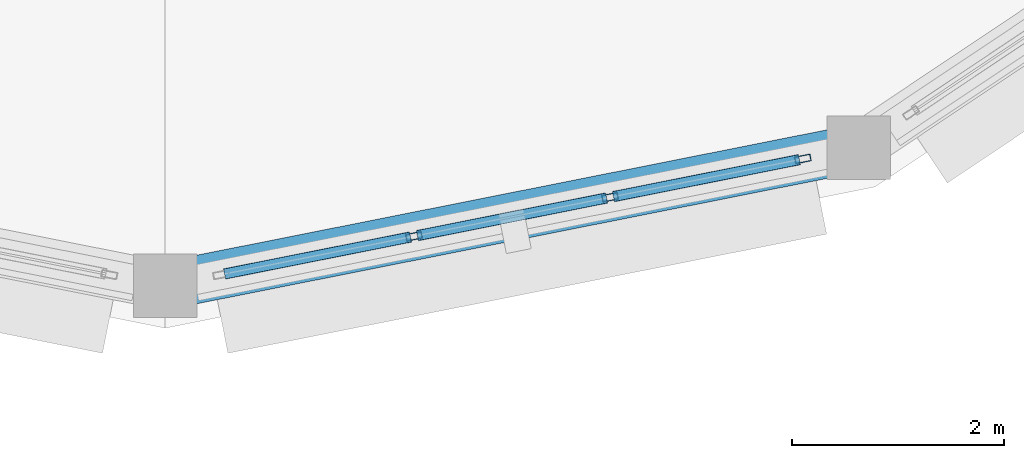
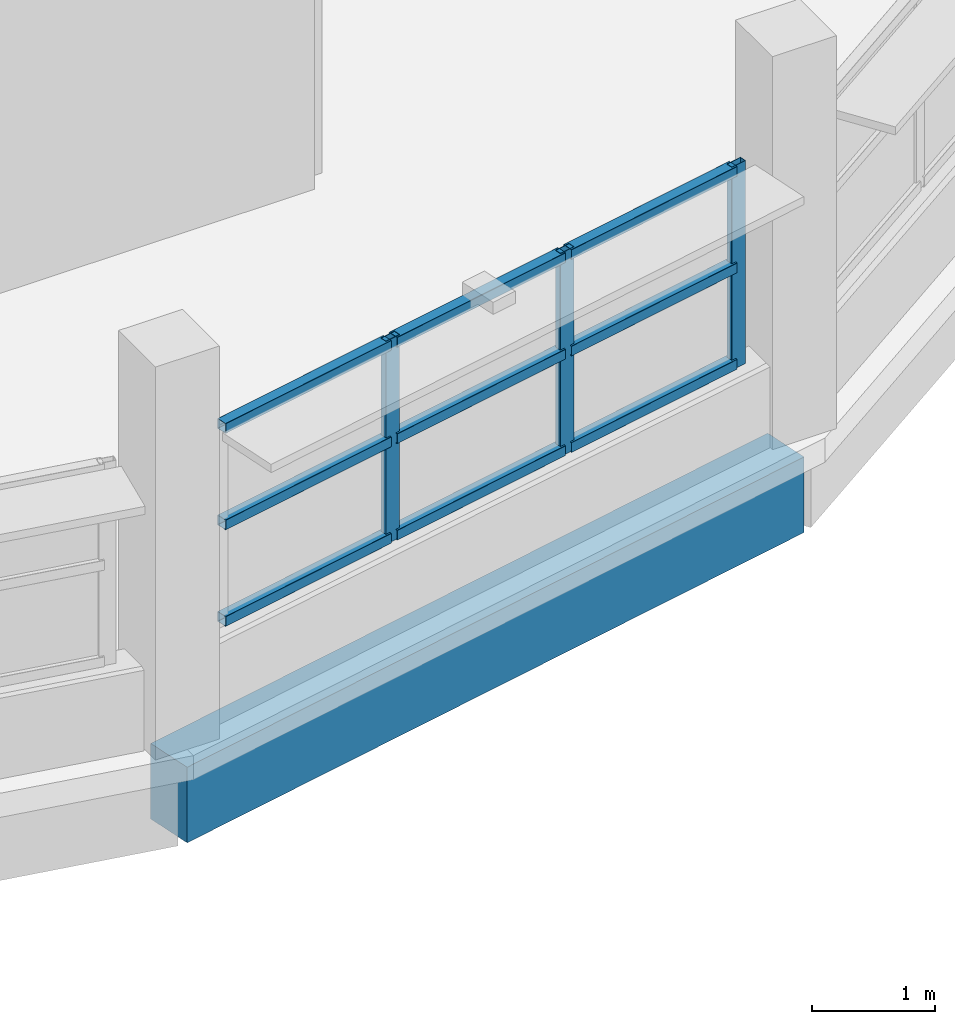
# One storey, part 65 of 121: 12 members, 1 beam, 1 element without a shape of its own.
"""IFC4 building model written with IfcOpenShell, lengths in metres."""

from ifc_helpers import new_model, si_unit, direction, frame, origin, origin_2d, place, context, subcontext, project, spatial, rectangle, hollow_rectangle, extrude, material, layer, layer_set, material_profile, profile_set, type_object, element, aggregate, save


model = new_model("IFC4")

# Units and contexts
model_context = context("Model", 3, precision=1e-05, world=origin(), true_north=direction((0.0, 1.0)))
body_context = subcontext(model_context, "Body", "Model", "MODEL_VIEW")
ifc_project = project(units=[si_unit("LENGTHUNIT", "METRE"), si_unit("AREAUNIT", "SQUARE_METRE"), si_unit("VOLUMEUNIT", "CUBIC_METRE"), si_unit("PLANEANGLEUNIT", "RADIAN"), si_unit("MASSUNIT", "GRAM", prefix="KILO")], contexts=[model_context])

# Site, building, storey
site_placement = place(None, origin())
site = spatial("IfcSite", under=ifc_project, at=site_placement, CompositionType="ELEMENT")
building_placement = place(site_placement, origin())
building = spatial("IfcBuilding", under=site, at=building_placement, Name="Vespera Passage Community Centre", CompositionType="ELEMENT")
storey_placement = place(building_placement, frame((0.0, 0.0, 8.699951171875)))
storey = spatial("IfcBuildingStorey", under=building, at=storey_placement, Name="L02", CompositionType="ELEMENT", Elevation=8.699951171875)

# Beam
ifc_material_1 = material(Name="Concrete f'c 35 MPa", Category="concrete")
ifc_material_profile_1 = material_profile(ifc_material_1, rectangle(XDim=0.449951171875, YDim=0.75, at=origin_2d()), Name="RC450X750")
ifc_profile_set_1 = profile_set([ifc_material_profile_1], Name="Concrete f'c 35 MPa")
beam_type = type_object("IfcBeamType", Name="BM-SP-450X750E", PredefinedType="SPANDREL", material=ifc_profile_set_1)
beam_placement = place(storey_placement, frame((141.0, 7.89990234375, -0.614990234375), z_axis=(0.980782809509, 0.195102743632, 0.0), x_axis=(-0.195102743632, 0.980782809509, 0.0)))
element("IfcBeam", 1, at=beam_placement, inside=storey, type_object=beam_type, Name="V3 L02 Spandrel 13", PredefinedType="SPANDREL", context=body_context, shape_type="SweptSolid", body=[
    extrude(rectangle(XDim=0.449951171875, YDim=0.75, at=origin_2d()), origin(), (0.0, 0.0, 1.0), 6.672119140625),
])

# Curtain wall, members
ifc_material_2 = material(Name="Anodized aluminium 6063-T6", Category="aluminium")
ifc_layer = layer(ifc_material_2, 0.159912109375)
ifc_layer_set = layer_set([ifc_layer], Name="Anodized aluminium 6063-T6")
curtain_wall_type = type_object("IfcCurtainWallType", Name="CW-108E", PredefinedType="NOTDEFINED", material=ifc_layer_set)
curtain_wall_placement = place(storey_placement, origin())
curtain_wall = element("IfcCurtainWall", 2, at=curtain_wall_placement, inside=storey, type_object=curtain_wall_type, Name="Dining Drum Ribbon Curtain Wall L02.13", PredefinedType="NOTDEFINED")
ifc_material_3 = material(Name="Anodized aluminium 6063-T6", Category="aluminium")
ifc_material_profile_2 = material_profile(ifc_material_3, hollow_rectangle(XDim=0.06494140625, YDim=0.14990234375, WallThickness=0.00390625, InnerFilletRadius=0.001953125, OuterFilletRadius=0.00390625, at=origin_2d()), Name="ALU150X65X4")
ifc_profile_set_2 = profile_set([ifc_material_profile_2], Name="Anodized aluminium 6063-T6")
member_type_1 = type_object("IfcMemberType", Name="MB-CWM-150E", PredefinedType="MULLION", material=ifc_profile_set_2)
member_1_placement = place(storey_placement, frame((147.015869140625, 9.0966796875, 0.800048828125), z_axis=(0.0, 0.0, 1.0), x_axis=(0.195096778691, -0.980783996069, 0.0)))
member_1 = element("IfcMember", 3, at=member_1_placement, type_object=member_type_1, Name="CW-108E mullion 1", PredefinedType="MULLION", context=body_context, shape_type="SweptSolid", body=[
    extrude(hollow_rectangle(XDim=0.06494140625, YDim=0.14990234375, WallThickness=0.00390625, InnerFilletRadius=0.001953125, OuterFilletRadius=0.00390625, at=origin_2d()), origin(), (0.0, 0.0, 1.0), 2.014892578125),
])
member_2_placement = place(storey_placement, frame((145.197265625, 8.73486328125, 0.800048828125), z_axis=(0.0, 0.0, 1.0), x_axis=(0.195096778691, -0.980783996069, 0.0)))
member_2 = element("IfcMember", 4, at=member_2_placement, type_object=member_type_1, Name="CW-108E mullion 2", PredefinedType="MULLION", context=body_context, shape_type="SweptSolid", body=[
    extrude(hollow_rectangle(XDim=0.06494140625, YDim=0.14990234375, WallThickness=0.00390625, InnerFilletRadius=0.001953125, OuterFilletRadius=0.00390625, at=origin_2d()), origin(), (0.0, 0.0, 1.0), 2.014892578125),
])
member_3_placement = place(storey_placement, frame((143.3466796875, 8.36669921875, 0.800048828125), z_axis=(0.0, 0.0, 1.0), x_axis=(0.195096778691, -0.980783996069, 0.0)))
member_3 = element("IfcMember", 5, at=member_3_placement, type_object=member_type_1, Name="CW-108E mullion 3", PredefinedType="MULLION", context=body_context, shape_type="SweptSolid", body=[
    extrude(hollow_rectangle(XDim=0.06494140625, YDim=0.14990234375, WallThickness=0.00390625, InnerFilletRadius=0.001953125, OuterFilletRadius=0.00390625, at=origin_2d()), origin(), (0.0, 0.0, 1.0), 2.014892578125),
])
ifc_material_4 = material(Name="Anodized aluminium 6063-T6", Category="aluminium")
ifc_material_profile_3 = material_profile(ifc_material_4, hollow_rectangle(XDim=0.10009765625, YDim=0.10009765625, WallThickness=0.00390625, InnerFilletRadius=0.001953125, OuterFilletRadius=0.00390625, at=origin_2d()), Name="ALU100X100X4")
ifc_profile_set_3 = profile_set([ifc_material_profile_3], Name="Anodized aluminium 6063-T6")
member_type_2 = type_object("IfcMemberType", Name="MB-CWT-100E", PredefinedType="USERDEFINED", material=ifc_profile_set_3)
member_4_placement = place(storey_placement, frame((146.98388671875, 9.09033203125, 0.85009765625), z_axis=(-0.980779590975, -0.195118922523, 0.0), x_axis=(0.195118922523, -0.980779590975, 0.0)))
member_4 = element("IfcMember", 6, at=member_4_placement, type_object=member_type_2, Name="CW-108E transom 1.1", ObjectType="TRANSOM", PredefinedType="USERDEFINED", context=body_context, shape_type="SweptSolid", body=[
    extrude(hollow_rectangle(XDim=0.10009765625, YDim=0.10009765625, WallThickness=0.00390625, InnerFilletRadius=0.001953125, OuterFilletRadius=0.00390625, at=origin_2d()), origin(), (0.0, 0.0, 1.0), 1.789306640625),
])
member_5_placement = place(storey_placement, frame((146.98388671875, 9.09033203125, 1.8076171875), z_axis=(-0.980779590975, -0.195118922523, 0.0), x_axis=(0.195118922523, -0.980779590975, 0.0)))
member_5 = element("IfcMember", 7, at=member_5_placement, type_object=member_type_2, Name="CW-108E transom 1.2", ObjectType="TRANSOM", PredefinedType="USERDEFINED", context=body_context, shape_type="SweptSolid", body=[
    extrude(hollow_rectangle(XDim=0.10009765625, YDim=0.10009765625, WallThickness=0.00390625, InnerFilletRadius=0.001953125, OuterFilletRadius=0.00390625, at=origin_2d()), origin(), (0.0, 0.0, 1.0), 1.789306640625),
])
member_6_placement = place(storey_placement, frame((146.98388671875, 9.09033203125, 2.76513671875), z_axis=(-0.980779590975, -0.195118922523, 0.0), x_axis=(0.195118922523, -0.980779590975, 0.0)))
member_6 = element("IfcMember", 8, at=member_6_placement, type_object=member_type_2, Name="CW-108E transom 1.3", ObjectType="TRANSOM", PredefinedType="USERDEFINED", context=body_context, shape_type="SweptSolid", body=[
    extrude(hollow_rectangle(XDim=0.10009765625, YDim=0.10009765625, WallThickness=0.00390625, InnerFilletRadius=0.001953125, OuterFilletRadius=0.00390625, at=origin_2d()), origin(), (0.0, 0.0, 1.0), 1.789306640625),
])
member_7_placement = place(storey_placement, frame((145.165283203125, 8.728515625, 0.85009765625), z_axis=(-0.980776065507, -0.195136642714, 0.0), x_axis=(0.195136642714, -0.980776065507, 0.0)))
member_7 = element("IfcMember", 9, at=member_7_placement, type_object=member_type_2, Name="CW-108E transom 2.1", ObjectType="TRANSOM", PredefinedType="USERDEFINED", context=body_context, shape_type="SweptSolid", body=[
    extrude(hollow_rectangle(XDim=0.10009765625, YDim=0.10009765625, WallThickness=0.00390625, InnerFilletRadius=0.001953125, OuterFilletRadius=0.00390625, at=origin_2d()), origin(), (0.0, 0.0, 1.0), 1.821533203125),
])
member_8_placement = place(storey_placement, frame((145.165283203125, 8.728515625, 1.8076171875), z_axis=(-0.980776065507, -0.195136642714, 0.0), x_axis=(0.195136642714, -0.980776065507, 0.0)))
member_8 = element("IfcMember", 10, at=member_8_placement, type_object=member_type_2, Name="CW-108E transom 2.2", ObjectType="TRANSOM", PredefinedType="USERDEFINED", context=body_context, shape_type="SweptSolid", body=[
    extrude(hollow_rectangle(XDim=0.10009765625, YDim=0.10009765625, WallThickness=0.00390625, InnerFilletRadius=0.001953125, OuterFilletRadius=0.00390625, at=origin_2d()), origin(), (0.0, 0.0, 1.0), 1.821533203125),
])
member_9_placement = place(storey_placement, frame((145.165283203125, 8.728515625, 2.76513671875), z_axis=(-0.980776065507, -0.195136642714, 0.0), x_axis=(0.195136642714, -0.980776065507, 0.0)))
member_9 = element("IfcMember", 11, at=member_9_placement, type_object=member_type_2, Name="CW-108E transom 2.3", ObjectType="TRANSOM", PredefinedType="USERDEFINED", context=body_context, shape_type="SweptSolid", body=[
    extrude(hollow_rectangle(XDim=0.10009765625, YDim=0.10009765625, WallThickness=0.00390625, InnerFilletRadius=0.001953125, OuterFilletRadius=0.00390625, at=origin_2d()), origin(), (0.0, 0.0, 1.0), 1.821533203125),
])
member_10_placement = place(storey_placement, frame((143.31494140625, 8.3603515625, 0.85009765625), z_axis=(-0.980805694528, -0.194987665203, 0.0), x_axis=(0.194987665203, -0.980805694528, 0.0)))
member_10 = element("IfcMember", 12, at=member_10_placement, type_object=member_type_2, Name="CW-108E transom 3.1", ObjectType="TRANSOM", PredefinedType="USERDEFINED", context=body_context, shape_type="SweptSolid", body=[
    extrude(hollow_rectangle(XDim=0.10009765625, YDim=0.10009765625, WallThickness=0.00390625, InnerFilletRadius=0.001953125, OuterFilletRadius=0.00390625, at=origin_2d()), origin(), (0.0, 0.0, 1.0), 1.789306640625),
])
member_11_placement = place(storey_placement, frame((143.31494140625, 8.3603515625, 1.8076171875), z_axis=(-0.980805694528, -0.194987665203, 0.0), x_axis=(0.194987665203, -0.980805694528, 0.0)))
member_11 = element("IfcMember", 13, at=member_11_placement, type_object=member_type_2, Name="CW-108E transom 3.2", ObjectType="TRANSOM", PredefinedType="USERDEFINED", context=body_context, shape_type="SweptSolid", body=[
    extrude(hollow_rectangle(XDim=0.10009765625, YDim=0.10009765625, WallThickness=0.00390625, InnerFilletRadius=0.001953125, OuterFilletRadius=0.00390625, at=origin_2d()), origin(), (0.0, 0.0, 1.0), 1.789306640625),
])
member_12_placement = place(storey_placement, frame((143.31494140625, 8.3603515625, 2.76513671875), z_axis=(-0.980805694528, -0.194987665203, 0.0), x_axis=(0.194987665203, -0.980805694528, 0.0)))
member_12 = element("IfcMember", 14, at=member_12_placement, type_object=member_type_2, Name="CW-108E transom 3.3", ObjectType="TRANSOM", PredefinedType="USERDEFINED", context=body_context, shape_type="SweptSolid", body=[
    extrude(hollow_rectangle(XDim=0.10009765625, YDim=0.10009765625, WallThickness=0.00390625, InnerFilletRadius=0.001953125, OuterFilletRadius=0.00390625, at=origin_2d()), origin(), (0.0, 0.0, 1.0), 1.789306640625),
])
aggregate(curtain_wall, [member_1, member_2, member_3, member_4, member_5, member_6, member_7, member_8, member_9, member_10, member_11, member_12])

save(model, "model.ifc")
